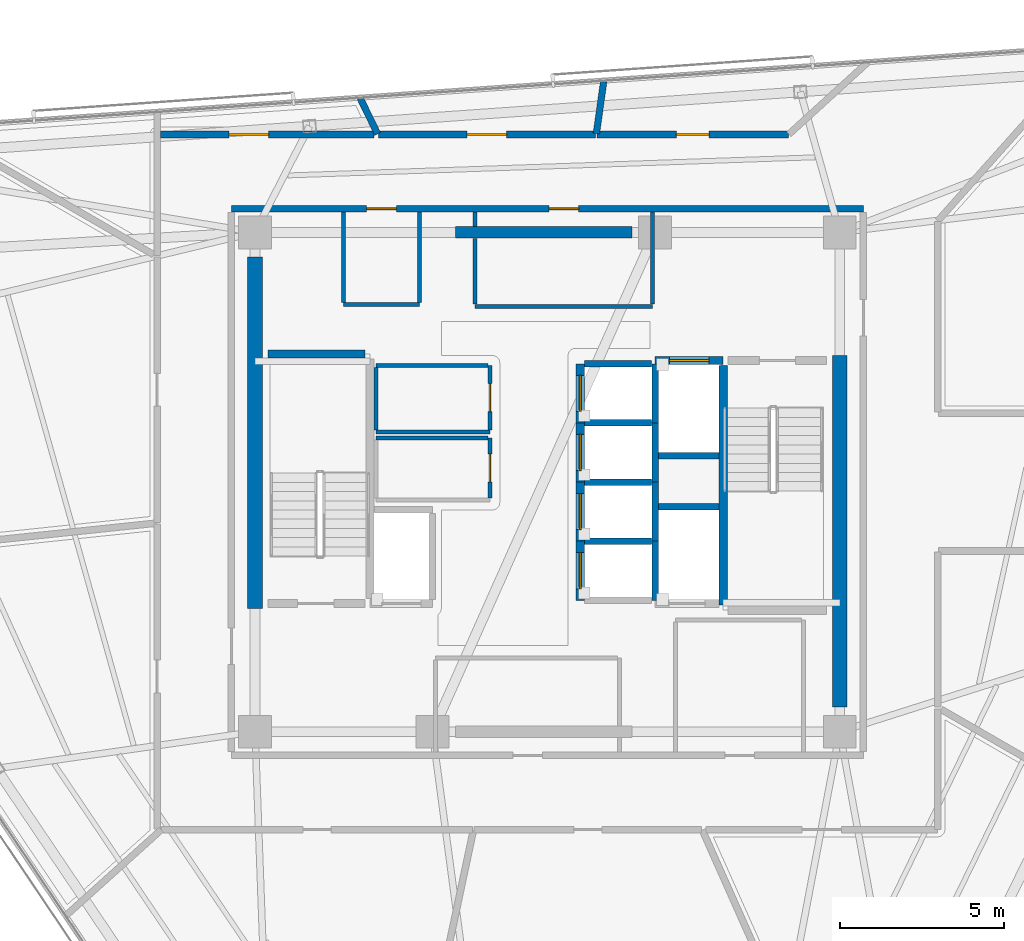
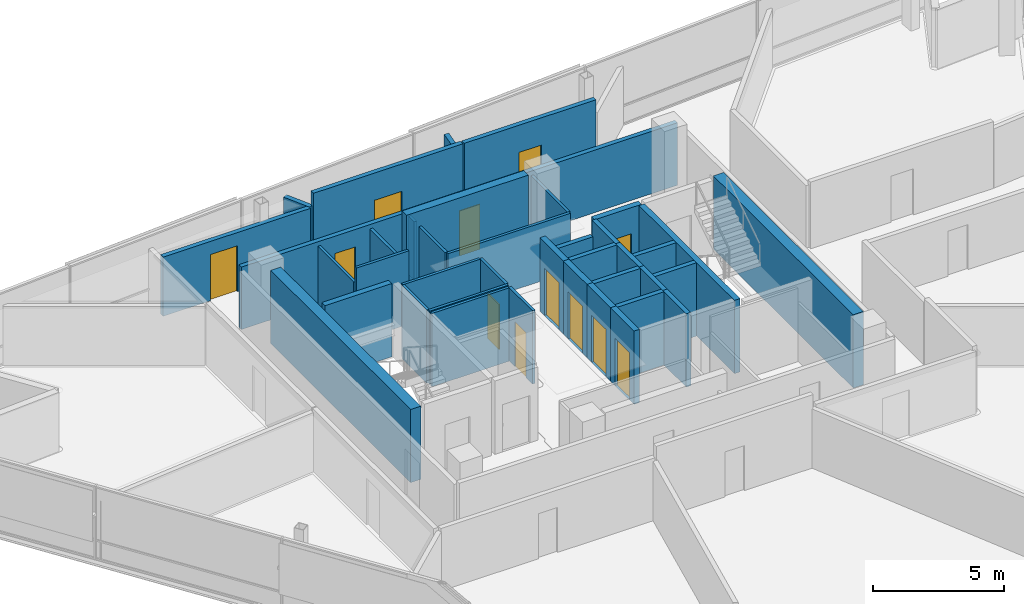
# One storey, part 10 of 16: 39 walls, 12 doors, 12 openings.
"""IFC4 building model written with IfcOpenShell, lengths in metres."""

from ifc_helpers import new_model, si_unit, direction, frame, frame_2d, origin, place, context, subcontext, project, spatial, rectangle, extrude, material, layer, layer_set, type_object, element, fill, save


model = new_model("IFC4")

# Units and contexts
model_context = context("Model", 3, precision=1e-05, world=origin(), true_north=direction((0.0, 1.0)))
body_context = subcontext(model_context, "Body", "Model", "MODEL_VIEW")
ifc_project = project(units=[si_unit("LENGTHUNIT", "METRE"), si_unit("AREAUNIT", "SQUARE_METRE"), si_unit("VOLUMEUNIT", "CUBIC_METRE"), si_unit("PLANEANGLEUNIT", "RADIAN"), si_unit("MASSUNIT", "GRAM", prefix="KILO")], contexts=[model_context])

# Site, building, storey
site_placement = place(None, origin())
site = spatial("IfcSite", under=ifc_project, at=site_placement, CompositionType="ELEMENT")
building_placement = place(site_placement, origin())
building = spatial("IfcBuilding", under=site, at=building_placement, Name="Tharavind Bronze Gate", CompositionType="ELEMENT")
storey_placement = place(building_placement, frame((0.0, 0.0, 260.60009765625)))
storey = spatial("IfcBuildingStorey", under=building, at=storey_placement, Name="L67", CompositionType="ELEMENT", Elevation=260.60009765625)

# Wall, openings, doors
ifc_material_1 = material(Name="Aerated Concrete Block", Category="concrete")
ifc_layer_1 = layer(ifc_material_1, 0.199951171875)
ifc_layer_set_1 = layer_set([ifc_layer_1], Name="Aerated Concrete Block")
wall_type_1 = type_object("IfcWallType", Name="FIRE RATED PARTITION 200", PredefinedType="PARTITIONING", material=ifc_layer_set_1)
wall_1_placement = place(storey_placement, frame((9.6201171875, 8.320068359375, 0.0), z_axis=(0.0, 0.0, 1.0), x_axis=(-1.0, 0.0, 0.0)))
wall_1 = element("IfcWall", 1, at=wall_1_placement, inside=storey, type_object=wall_type_1, Name="L67 north core corridor wall", PredefinedType="PARTITIONING", context=body_context, shape_type="SweptSolid", body=[
    extrude(rectangle(XDim=19.240234375, YDim=0.199951171875, at=frame_2d((9.6201171875, 0.0))), origin(), (0.0, 0.0, 1.0), 2.914794921875),
])
opening_1_placement = place(wall_1_placement, frame((8.669921875, 0.0, 0.0)))
opening_1 = element("IfcOpeningElement", 2, at=opening_1_placement, cuts=wall_1, Name="Opening ID07", PredefinedType="OPENING", context=body_context, shape_type="SweptSolid", body=[
    extrude(rectangle(XDim=0.89990234375, YDim=2.10009765625, at=frame_2d((0.449951171875, 1.050048828125))), frame((0.0, 0.11009765625, 0.0), z_axis=(0.0, -1.0, 0.0), x_axis=(1.0, 0.0, 0.0)), (0.0, 0.0, 1.0), 0.219951171875),
])
opening_2_placement = place(wall_1_placement, frame((14.219970703125, 0.0, 0.0)))
opening_2 = element("IfcOpeningElement", 3, at=opening_2_placement, cuts=wall_1, Name="Opening ID07", PredefinedType="OPENING", context=body_context, shape_type="SweptSolid", body=[
    extrude(rectangle(XDim=0.89990234375, YDim=2.10009765625, at=frame_2d((0.449951171875, 1.050048828125))), frame((0.0, 0.11009765625, 0.0), z_axis=(0.0, -1.0, 0.0), x_axis=(1.0, 0.0, 0.0)), (0.0, 0.0, 1.0), 0.219951171875),
])
ifc_material_2 = material(Name="Galvanised Fire Steel", Category="steel")
door_type_1 = type_object("IfcDoorType", Name="PLANT AND RISER FIRE DOOR 900X2100", OperationType="SINGLE_SWING_LEFT", PredefinedType="DOOR", material=ifc_material_2)
door_1_placement = place(opening_1_placement, origin())
door_1 = element("IfcDoor", 4, at=door_1_placement, inside=storey, type_object=door_type_1, Name="L67 Core Avionics Room fire door", OperationType="SINGLE_SWING_LEFT", OverallHeight=2.10009765625, OverallWidth=0.89990234375, PredefinedType="DOOR", context=body_context, shape_type="SweptSolid", body=[
    extrude(rectangle(XDim=0.89990234375, YDim=2.10009765625, at=frame_2d((0.449951171875, 1.050048828125))), frame((0.0, 0.02490234375, 0.0), z_axis=(0.0, -1.0, 0.0), x_axis=(1.0, 0.0, 0.0)), (0.0, 0.0, 1.0), 0.050048828125),
])
fill(opening_1, door_1)
door_2_placement = place(opening_2_placement, origin())
door_2 = element("IfcDoor", 5, at=door_2_placement, inside=storey, type_object=door_type_1, Name="L67 Electrical Switch Cupboard fire door", OperationType="SINGLE_SWING_LEFT", OverallHeight=2.10009765625, OverallWidth=0.89990234375, PredefinedType="DOOR", context=body_context, shape_type="SweptSolid", body=[
    extrude(rectangle(XDim=0.89990234375, YDim=2.10009765625, at=frame_2d((0.449951171875, 1.050048828125))), frame((0.0, 0.02490234375, 0.0), z_axis=(0.0, -1.0, 0.0), x_axis=(1.0, 0.0, 0.0)), (0.0, 0.0, 1.0), 0.050048828125),
])
fill(opening_2, door_2)

# Wall, opening, door
wall_2_placement = place(storey_placement, frame((7.3330078125, 10.580078125, 0.0), z_axis=(0.0, 0.0, 1.0), x_axis=(-1.0, 0.0, 0.0)))
wall_2 = element("IfcWall", 6, at=wall_2_placement, inside=storey, type_object=wall_type_1, Name="L67 CEO Executive Office partition", PredefinedType="PARTITIONING", context=body_context, shape_type="SweptSolid", body=[
    extrude(rectangle(XDim=5.8173828125, YDim=0.199951171875, at=frame_2d((2.90869140625, 0.0))), origin(), (0.0, 0.0, 1.0), 3.419921875),
])
opening_3_placement = place(wall_2_placement, frame((2.408935546875, 0.0, 0.0)))
opening_3 = element("IfcOpeningElement", 7, at=opening_3_placement, cuts=wall_2, Name="Opening ID04", PredefinedType="OPENING", context=body_context, shape_type="SweptSolid", body=[
    extrude(rectangle(XDim=1.0, YDim=2.14990234375, at=frame_2d((0.5, 1.074951171875))), frame((0.0, 0.11009765625, 0.0), z_axis=(0.0, -1.0, 0.0), x_axis=(1.0, 0.0, 0.0)), (0.0, 0.0, 1.0), 0.219951171875),
])
ifc_material_3 = material(Name="Bronze Framed Acoustic Timber", Category="wood")
door_type_2 = type_object("IfcDoorType", Name="OFFICE TENANCY DOOR 1000X2150", OperationType="SINGLE_SWING_RIGHT", PredefinedType="DOOR", material=ifc_material_3)
door_3_placement = place(opening_3_placement, origin())
door_3 = element("IfcDoor", 8, at=door_3_placement, inside=storey, type_object=door_type_2, Name="L67 CEO Executive Office door", OperationType="SINGLE_SWING_RIGHT", OverallHeight=2.14990234375, OverallWidth=1.0, PredefinedType="DOOR", context=body_context, shape_type="SweptSolid", body=[
    extrude(rectangle(XDim=1.0, YDim=2.14990234375, at=frame_2d((0.5, 1.074951171875))), frame((0.0, 0.02490234375, 0.0), z_axis=(0.0, -1.0, 0.0), x_axis=(1.0, 0.0, 0.0)), (0.0, 0.0, 1.0), 0.050048828125),
])
fill(opening_3, door_3)

# Wall
wall_3_placement = place(storey_placement, frame((1.490966796875, 10.6083984375, 0.0), z_axis=(0.0, 0.0, 1.0), x_axis=(0.139154192709, 0.990270725939, 0.0)))
element("IfcWall", 9, at=wall_3_placement, inside=storey, type_object=wall_type_1, Name="L67 CEO Executive Office partition", PredefinedType="PARTITIONING", context=body_context, shape_type="SweptSolid", body=[
    extrude(rectangle(XDim=1.598388671875, YDim=0.199951171875, at=frame_2d((0.79931640625, 0.0))), origin(), (0.0, 0.0, 1.0), 2.764892578125),
])

# Wall, opening, door
wall_4_placement = place(storey_placement, frame((1.465087890625, 10.580078125, 0.0), z_axis=(0.0, 0.0, 1.0), x_axis=(-1.0, 0.0, 0.0)))
wall_4 = element("IfcWall", 10, at=wall_4_placement, inside=storey, type_object=wall_type_1, Name="L67 Global Boardroom partition", PredefinedType="PARTITIONING", context=body_context, shape_type="SweptSolid", body=[
    extrude(rectangle(XDim=6.609619140625, YDim=0.199951171875, at=frame_2d((3.3046875, 0.0))), origin(), (0.0, 0.0, 1.0), 3.419921875),
])
opening_4_placement = place(wall_4_placement, frame((2.705078125, 0.0, 0.0)))
opening_4 = element("IfcOpeningElement", 11, at=opening_4_placement, cuts=wall_4, Name="Opening ID05", PredefinedType="OPENING", context=body_context, shape_type="SweptSolid", body=[
    extrude(rectangle(XDim=1.199951171875, YDim=2.14990234375, at=frame_2d((0.60009765625, 1.074951171875))), frame((0.0, 0.11009765625, 0.0), z_axis=(0.0, -1.0, 0.0), x_axis=(1.0, 0.0, 0.0)), (0.0, 0.0, 1.0), 0.219951171875),
])
ifc_material_4 = material(Name="Acoustic Laminated Glass", Category="glass")
door_type_3 = type_object("IfcDoorType", Name="MEETING ROOM GLAZED DOOR 1200X2150", OperationType="SINGLE_SWING_LEFT", PredefinedType="DOOR", material=ifc_material_4)
door_4_placement = place(opening_4_placement, origin())
door_4 = element("IfcDoor", 12, at=door_4_placement, inside=storey, type_object=door_type_3, Name="L67 Global Boardroom door", OperationType="SINGLE_SWING_LEFT", OverallHeight=2.14990234375, OverallWidth=1.199951171875, PredefinedType="DOOR", context=body_context, shape_type="SweptSolid", body=[
    extrude(rectangle(XDim=1.199951171875, YDim=2.14990234375, at=frame_2d((0.60009765625, 1.074951171875))), frame((0.0, 0.02490234375, 0.0), z_axis=(0.0, -1.0, 0.0), x_axis=(1.0, 0.0, 0.0)), (0.0, 0.0, 1.0), 0.050048828125),
])
fill(opening_4, door_4)

# Wall
wall_5_placement = place(storey_placement, frame((-5.1669921875, 10.593994140625, 0.0), z_axis=(0.0, 0.0, 1.0), x_axis=(-0.438482667622, 0.89873964539, 0.0)))
element("IfcWall", 13, at=wall_5_placement, inside=storey, type_object=wall_type_1, Name="L67 Global Boardroom partition", PredefinedType="PARTITIONING", context=body_context, shape_type="SweptSolid", body=[
    extrude(rectangle(XDim=1.22216796875, YDim=0.199951171875, at=frame_2d((0.611083984375, 0.0))), origin(), (0.0, 0.0, 1.0), 2.764892578125),
])

# Wall, opening, door
wall_6_placement = place(storey_placement, frame((-5.277099609375, 10.580078125, 0.0), z_axis=(0.0, 0.0, 1.0), x_axis=(-1.0, 0.0, 0.0)))
wall_6 = element("IfcWall", 14, at=wall_6_placement, inside=storey, type_object=wall_type_1, Name="L67 Strategy Seminar Room partition", PredefinedType="PARTITIONING", context=body_context, shape_type="SweptSolid", body=[
    extrude(rectangle(XDim=6.497802734375, YDim=0.199951171875, at=frame_2d((3.2490234375, 0.0))), origin(), (0.0, 0.0, 1.0), 2.764892578125),
])
opening_5_placement = place(wall_6_placement, frame((3.208984375, 0.0, 0.0)))
opening_5 = element("IfcOpeningElement", 15, at=opening_5_placement, cuts=wall_6, Name="Opening ID05", PredefinedType="OPENING", context=body_context, shape_type="SweptSolid", body=[
    extrude(rectangle(XDim=1.199951171875, YDim=2.14990234375, at=frame_2d((0.60009765625, 1.074951171875))), frame((0.0, 0.11009765625, 0.0), z_axis=(0.0, -1.0, 0.0), x_axis=(1.0, 0.0, 0.0)), (0.0, 0.0, 1.0), 0.219951171875),
])
door_5_placement = place(opening_5_placement, origin())
door_5 = element("IfcDoor", 16, at=door_5_placement, inside=storey, type_object=door_type_3, Name="L67 Strategy Seminar Room door", OperationType="SINGLE_SWING_LEFT", OverallHeight=2.14990234375, OverallWidth=1.199951171875, PredefinedType="DOOR", context=body_context, shape_type="SweptSolid", body=[
    extrude(rectangle(XDim=1.199951171875, YDim=2.14990234375, at=frame_2d((0.60009765625, 1.074951171875))), frame((0.0, 0.02490234375, 0.0), z_axis=(0.0, -1.0, 0.0), x_axis=(1.0, 0.0, 0.0)), (0.0, 0.0, 1.0), 0.050048828125),
])
fill(opening_5, door_5)

# Wall
ifc_material_5 = material(Name="Metal Stud Gypsum Partition", Category="gypsum")
ifc_layer_2 = layer(ifc_material_5, 0.1201171875)
ifc_layer_set_2 = layer_set([ifc_layer_2], Name="Metal Stud Gypsum Partition")
wall_type_2 = type_object("IfcWallType", Name="INTERIOR PARTITION WALL 120", PredefinedType="PARTITIONING", material=ifc_layer_set_2)
wall_7_placement = place(storey_placement, frame((-5.219970703125, 1.52001953125, 0.0), z_axis=(0.0, 0.0, 1.0), x_axis=(1.0, 0.0, 0.0)))
element("IfcWall", 17, at=wall_7_placement, inside=storey, type_object=wall_type_2, Name="L67 Cleaner Store Room partition 1", PredefinedType="PARTITIONING", context=body_context, shape_type="SweptSolid", body=[
    extrude(rectangle(XDim=3.469970703125, YDim=0.1201171875, at=frame_2d((1.73486328125, 0.0))), origin(), (0.0, 0.0, 1.0), 3.419921875),
])

# Wall, opening, door
wall_8_placement = place(storey_placement, frame((-1.75, 1.5849609375, 0.0), z_axis=(0.0, 0.0, 1.0), x_axis=(0.0, 1.0, 0.0)))
wall_8 = element("IfcWall", 18, at=wall_8_placement, inside=storey, type_object=wall_type_2, Name="L67 Cleaner Store Room partition 2", PredefinedType="PARTITIONING", context=body_context, shape_type="SweptSolid", body=[
    extrude(rectangle(XDim=1.965087890625, YDim=0.1201171875, at=frame_2d((0.982421875, 0.0))), origin(), (0.0, 0.0, 1.0), 3.419921875),
])
opening_6_placement = place(wall_8_placement, frame((0.556884765625, 0.0, 0.0)))
opening_6 = element("IfcOpeningElement", 19, at=opening_6_placement, cuts=wall_8, Name="Opening ID06", PredefinedType="OPENING", context=body_context, shape_type="SweptSolid", body=[
    extrude(rectangle(XDim=0.85009765625, YDim=2.10009765625, at=frame_2d((0.425048828125, 1.050048828125))), frame((0.0, 0.07005859375, 0.0), z_axis=(0.0, -1.0, 0.0), x_axis=(1.0, 0.0, 0.0)), (0.0, 0.0, 1.0), 0.1401171875),
])
ifc_material_6 = material(Name="Moisture-Resistant Timber", Category="wood")
door_type_4 = type_object("IfcDoorType", Name="BATHROOM PRIVACY DOOR 850X2100", OperationType="SINGLE_SWING_RIGHT", PredefinedType="DOOR", material=ifc_material_6)
door_6_placement = place(opening_6_placement, frame((0.85009765625, 0.0, 0.0), z_axis=(0.0, 0.0, 1.0), x_axis=(-1.0, 0.0, 0.0)))
door_6 = element("IfcDoor", 20, at=door_6_placement, inside=storey, type_object=door_type_4, Name="L67 Cleaner Store Room door", OperationType="SINGLE_SWING_RIGHT", OverallHeight=2.10009765625, OverallWidth=0.85009765625, PredefinedType="DOOR", context=body_context, shape_type="SweptSolid", body=[
    extrude(rectangle(XDim=0.85009765625, YDim=2.10009765625, at=frame_2d((0.425048828125, 1.050048828125))), frame((0.0, 0.02490234375, 0.0), z_axis=(0.0, -1.0, 0.0), x_axis=(1.0, 0.0, 0.0)), (0.0, 0.0, 1.0), 0.050048828125),
])
fill(opening_6, door_6)

# Walls
wall_9_placement = place(storey_placement, frame((-1.81494140625, 3.550048828125, 0.0), z_axis=(0.0, 0.0, 1.0), x_axis=(-1.0, 0.0, 0.0)))
element("IfcWall", 21, at=wall_9_placement, inside=storey, type_object=wall_type_2, Name="L67 Cleaner Store Room partition 3", PredefinedType="PARTITIONING", context=body_context, shape_type="SweptSolid", body=[
    extrude(rectangle(XDim=3.405029296875, YDim=0.1201171875, at=frame_2d((1.70263671875, 0.0))), origin(), (0.0, 0.0, 1.0), 3.419921875),
])
wall_10_placement = place(storey_placement, frame((-5.219970703125, 3.485107421875, 0.0), z_axis=(0.0, 0.0, 1.0), x_axis=(0.0, -1.0, 0.0)))
element("IfcWall", 22, at=wall_10_placement, inside=storey, type_object=wall_type_2, Name="L67 Cleaner Store Room partition 4", PredefinedType="PARTITIONING", context=body_context, shape_type="SweptSolid", body=[
    extrude(rectangle(XDim=1.900146484375, YDim=0.1201171875, at=frame_2d((0.9501953125, 0.0))), origin(), (0.0, 0.0, 1.0), 3.419921875),
])

# Wall, opening, door
wall_11_placement = place(storey_placement, frame((-1.75, -0.485107421875, 0.0), z_axis=(0.0, 0.0, 1.0), x_axis=(0.0, 1.0, 0.0)))
wall_11 = element("IfcWall", 23, at=wall_11_placement, inside=storey, type_object=wall_type_2, Name="L67 Electrical Switch Room partition 2", PredefinedType="PARTITIONING", context=body_context, shape_type="SweptSolid", body=[
    extrude(rectangle(XDim=1.8251953125, YDim=0.1201171875, at=frame_2d((0.91259765625, 0.0))), origin(), (0.0, 0.0, 1.0), 3.419921875),
])
opening_7_placement = place(wall_11_placement, frame((0.488037109375, 0.0, 0.0)))
opening_7 = element("IfcOpeningElement", 24, at=opening_7_placement, cuts=wall_11, Name="Opening ID06", PredefinedType="OPENING", context=body_context, shape_type="SweptSolid", body=[
    extrude(rectangle(XDim=0.85009765625, YDim=2.10009765625, at=frame_2d((0.425048828125, 1.050048828125))), frame((0.0, 0.07005859375, 0.0), z_axis=(0.0, -1.0, 0.0), x_axis=(1.0, 0.0, 0.0)), (0.0, 0.0, 1.0), 0.1401171875),
])
door_7_placement = place(opening_7_placement, frame((0.85009765625, 0.0, 0.0), z_axis=(0.0, 0.0, 1.0), x_axis=(-1.0, 0.0, 0.0)))
door_7 = element("IfcDoor", 25, at=door_7_placement, inside=storey, type_object=door_type_4, Name="L67 Electrical Switch Room door", OperationType="SINGLE_SWING_RIGHT", OverallHeight=2.10009765625, OverallWidth=0.85009765625, PredefinedType="DOOR", context=body_context, shape_type="SweptSolid", body=[
    extrude(rectangle(XDim=0.85009765625, YDim=2.10009765625, at=frame_2d((0.425048828125, 1.050048828125))), frame((0.0, 0.02490234375, 0.0), z_axis=(0.0, -1.0, 0.0), x_axis=(1.0, 0.0, 0.0)), (0.0, 0.0, 1.0), 0.050048828125),
])
fill(opening_7, door_7)

# Walls
wall_12_placement = place(storey_placement, frame((-1.81494140625, 1.340087890625, 0.0), z_axis=(0.0, 0.0, 1.0), x_axis=(-1.0, 0.0, 0.0)))
element("IfcWall", 26, at=wall_12_placement, inside=storey, type_object=wall_type_2, Name="L67 Electrical Switch Room partition 3", PredefinedType="PARTITIONING", context=body_context, shape_type="SweptSolid", body=[
    extrude(rectangle(XDim=3.405029296875, YDim=0.1201171875, at=frame_2d((1.70263671875, 0.0))), origin(), (0.0, 0.0, 1.0), 3.419921875),
])
wall_13_placement = place(storey_placement, frame((-2.199951171875, 5.35009765625, 0.0), z_axis=(0.0, 0.0, 1.0), x_axis=(1.0, 0.0, 0.0)))
element("IfcWall", 27, at=wall_13_placement, inside=storey, type_object=wall_type_2, Name="L67 Core Avionics Room partition 1", PredefinedType="PARTITIONING", context=body_context, shape_type="SweptSolid", body=[
    extrude(rectangle(XDim=5.39990234375, YDim=0.1201171875, at=frame_2d((2.699951171875, 0.0))), origin(), (0.0, 0.0, 1.0), 2.71484375),
])
wall_14_placement = place(storey_placement, frame((3.199951171875, 5.4150390625, 0.0), z_axis=(0.0, 0.0, 1.0), x_axis=(0.0, 1.0, 0.0)))
element("IfcWall", 28, at=wall_14_placement, inside=storey, type_object=wall_type_2, Name="L67 Core Avionics Room partition 2", PredefinedType="PARTITIONING", context=body_context, shape_type="SweptSolid", body=[
    extrude(rectangle(XDim=2.800048828125, YDim=0.1201171875, at=frame_2d((1.39990234375, 0.0))), origin(), (0.0, 0.0, 1.0), 2.71484375),
])
wall_15_placement = place(storey_placement, frame((-2.199951171875, 8.215087890625, 0.0), z_axis=(0.0, 0.0, 1.0), x_axis=(0.0, -1.0, 0.0)))
element("IfcWall", 29, at=wall_15_placement, inside=storey, type_object=wall_type_2, Name="L67 Core Avionics Room partition 4", PredefinedType="PARTITIONING", context=body_context, shape_type="SweptSolid", body=[
    extrude(rectangle(XDim=0.43505859375, YDim=0.1201171875, at=frame_2d((0.217529296875, 0.0))), origin(), (0.0, 0.0, 1.0), 2.71484375),
])
wall_16_placement = place(storey_placement, frame((-2.199951171875, 7.419921875, 0.0), z_axis=(0.0, 0.0, 1.0), x_axis=(0.0, -1.0, 0.0)))
element("IfcWall", 30, at=wall_16_placement, inside=storey, type_object=wall_type_2, Name="L67 Core Avionics Room partition 4", PredefinedType="PARTITIONING", context=body_context, shape_type="SweptSolid", body=[
    extrude(rectangle(XDim=2.0048828125, YDim=0.1201171875, at=frame_2d((1.00244140625, 0.0))), origin(), (0.0, 0.0, 1.0), 2.71484375),
])
wall_17_placement = place(storey_placement, frame((-6.199951171875, 5.39990234375, 0.0), z_axis=(0.0, 0.0, 1.0), x_axis=(1.0, 0.0, 0.0)))
element("IfcWall", 31, at=wall_17_placement, inside=storey, type_object=wall_type_2, Name="L67 Electrical Switch Cupboard partition 1", PredefinedType="PARTITIONING", context=body_context, shape_type="SweptSolid", body=[
    extrude(rectangle(XDim=2.300048828125, YDim=0.1201171875, at=frame_2d((1.14990234375, 0.0))), origin(), (0.0, 0.0, 1.0), 3.419921875),
])
for number, where, z_axis, x_axis, name in (
    (32, (-3.89990234375, 5.465087890625, 0.0), (0.0, 0.0, 1.0), (0.0, 1.0, 0.0), "L67 Electrical Switch Cupboard partition 2"),
    (33, (-6.199951171875, 8.215087890625, 0.0), (0.0, 0.0, 1.0), (0.0, -1.0, 0.0), "L67 Electrical Switch Cupboard partition 4"),
):
    element("IfcWall", number, at=place(storey_placement, frame(where, z_axis=z_axis, x_axis=x_axis)), inside=storey, type_object=wall_type_2, Name=name, PredefinedType="PARTITIONING", context=body_context, shape_type="SweptSolid", body=[
        extrude(rectangle(XDim=2.75, YDim=0.1201171875, at=frame_2d((1.375, 0.0))), origin(), (0.0, 0.0, 1.0), 2.71484375),
    ])
ifc_material_7 = material(Name="Concrete C50/60", Category="concrete")
ifc_layer_3 = layer(ifc_material_7, 0.25)
ifc_layer_set_3 = layer_set([ifc_layer_3], Name="Concrete C50/60")
wall_type_3 = type_object("IfcWallType", Name="RC CORE SHEAR WALL 250", PredefinedType="SHEAR", material=ifc_layer_set_3)
wall_18_placement = place(storey_placement, frame((-8.5, 3.89990234375, 0.0), z_axis=(0.0, 0.0, 1.0), x_axis=(1.0, 0.0, 0.0)))
element("IfcWall", 34, at=wall_18_placement, inside=storey, type_object=wall_type_3, Name="L67 ST1 shaft north wall", PredefinedType="SHEAR", context=body_context, shape_type="SweptSolid", body=[
    extrude(rectangle(XDim=2.949951171875, YDim=0.25, at=frame_2d((1.47509765625, 0.0))), origin(), (0.0, 0.0, 1.0), 3.419921875),
])
wall_19_placement = place(storey_placement, frame((5.35009765625, -3.75, 0.0), z_axis=(0.0, 0.0, 1.0), x_axis=(0.0, 1.0, 0.0)))
element("IfcWall", 35, at=wall_19_placement, inside=storey, type_object=wall_type_3, Name="L67 ST2 shaft west wall", PredefinedType="SHEAR", context=body_context, shape_type="SweptSolid", body=[
    extrude(rectangle(XDim=7.300048828125, YDim=0.25, at=frame_2d((3.64990234375, 0.0))), origin(), (0.0, 0.0, 1.0), 3.419921875),
])

# Wall, opening, door
wall_20_placement = place(storey_placement, frame((1.0, -3.60009765625, 0.0), z_axis=(0.0, 0.0, 1.0), x_axis=(0.0, 1.0, 0.0)))
wall_20 = element("IfcWall", 36, at=wall_20_placement, inside=storey, type_object=wall_type_3, Name="L67 lift PL9 shaft front wall", PredefinedType="SHEAR", context=body_context, shape_type="SweptSolid", body=[
    extrude(rectangle(XDim=1.800048828125, YDim=0.25, at=frame_2d((0.89990234375, 0.0))), origin(), (0.0, 0.0, 1.0), 3.419921875),
])
opening_8_placement = place(wall_20_placement, frame((0.35009765625, 0.0, 0.0)))
opening_8 = element("IfcOpeningElement", 37, at=opening_8_placement, cuts=wall_20, Name="Opening LD01", PredefinedType="OPENING", context=body_context, shape_type="SweptSolid", body=[
    extrude(rectangle(XDim=1.10009765625, YDim=2.199951171875, at=frame_2d((0.550048828125, 1.10009765625))), frame((0.0, 0.135, 0.0), z_axis=(0.0, -1.0, 0.0), x_axis=(1.0, 0.0, 0.0)), (0.0, 0.0, 1.0), 0.27),
])
ifc_material_8 = material(Name="Brushed Bronze Stainless Steel", Category="steel")
door_type_5 = type_object("IfcDoorType", Name="LIFT LANDING SLIDING DOOR 1100X2200", OperationType="SLIDING_TO_LEFT", PredefinedType="DOOR", material=ifc_material_8)
door_8_placement = place(opening_8_placement, origin())
door_8 = element("IfcDoor", 38, at=door_8_placement, inside=storey, type_object=door_type_5, Name="L67 lift PL9 sliding landing door", OperationType="SLIDING_TO_LEFT", OverallHeight=2.199951171875, OverallWidth=1.10009765625, PredefinedType="DOOR", context=body_context, shape_type="SweptSolid", body=[
    extrude(rectangle(XDim=1.10009765625, YDim=2.199951171875, at=frame_2d((0.550048828125, 1.10009765625))), frame((0.0, 0.02490234375, 0.0), z_axis=(0.0, -1.0, 0.0), x_axis=(1.0, 0.0, 0.0)), (0.0, 0.0, 1.0), 0.050048828125),
])
fill(opening_8, door_8)

wall_21_placement = place(storey_placement, frame((1.0, -1.800048828125, 0.0), z_axis=(0.0, 0.0, 1.0), x_axis=(0.0, 1.0, 0.0)))
wall_21 = element("IfcWall", 39, at=wall_21_placement, inside=storey, type_object=wall_type_3, Name="L67 lift PL10 shaft front wall", PredefinedType="SHEAR", context=body_context, shape_type="SweptSolid", body=[
    extrude(rectangle(XDim=1.800048828125, YDim=0.25, at=frame_2d((0.89990234375, 0.0))), origin(), (0.0, 0.0, 1.0), 3.419921875),
])
opening_9_placement = place(wall_21_placement, frame((0.35009765625, 0.0, 0.0)))
opening_9 = element("IfcOpeningElement", 40, at=opening_9_placement, cuts=wall_21, Name="Opening LD01", PredefinedType="OPENING", context=body_context, shape_type="SweptSolid", body=[
    extrude(rectangle(XDim=1.10009765625, YDim=2.199951171875, at=frame_2d((0.550048828125, 1.10009765625))), frame((0.0, 0.135, 0.0), z_axis=(0.0, -1.0, 0.0), x_axis=(1.0, 0.0, 0.0)), (0.0, 0.0, 1.0), 0.27),
])
door_9_placement = place(opening_9_placement, origin())
door_9 = element("IfcDoor", 41, at=door_9_placement, inside=storey, type_object=door_type_5, Name="L67 lift PL10 sliding landing door", OperationType="SLIDING_TO_LEFT", OverallHeight=2.199951171875, OverallWidth=1.10009765625, PredefinedType="DOOR", context=body_context, shape_type="SweptSolid", body=[
    extrude(rectangle(XDim=1.10009765625, YDim=2.199951171875, at=frame_2d((0.550048828125, 1.10009765625))), frame((0.0, 0.02490234375, 0.0), z_axis=(0.0, -1.0, 0.0), x_axis=(1.0, 0.0, 0.0)), (0.0, 0.0, 1.0), 0.050048828125),
])
fill(opening_9, door_9)

wall_22_placement = place(storey_placement, frame((1.0, 0.0, 0.0), z_axis=(0.0, 0.0, 1.0), x_axis=(0.0, 1.0, 0.0)))
wall_22 = element("IfcWall", 42, at=wall_22_placement, inside=storey, type_object=wall_type_3, Name="L67 lift PL11 shaft front wall", PredefinedType="SHEAR", context=body_context, shape_type="SweptSolid", body=[
    extrude(rectangle(XDim=1.800048828125, YDim=0.25, at=frame_2d((0.89990234375, 0.0))), origin(), (0.0, 0.0, 1.0), 3.419921875),
])
opening_10_placement = place(wall_22_placement, frame((0.35009765625, 0.0, 0.0)))
opening_10 = element("IfcOpeningElement", 43, at=opening_10_placement, cuts=wall_22, Name="Opening LD01", PredefinedType="OPENING", context=body_context, shape_type="SweptSolid", body=[
    extrude(rectangle(XDim=1.10009765625, YDim=2.199951171875, at=frame_2d((0.550048828125, 1.10009765625))), frame((0.0, 0.135, 0.0), z_axis=(0.0, -1.0, 0.0), x_axis=(1.0, 0.0, 0.0)), (0.0, 0.0, 1.0), 0.27),
])
door_10_placement = place(opening_10_placement, origin())
door_10 = element("IfcDoor", 44, at=door_10_placement, inside=storey, type_object=door_type_5, Name="L67 lift PL11 sliding landing door", OperationType="SLIDING_TO_LEFT", OverallHeight=2.199951171875, OverallWidth=1.10009765625, PredefinedType="DOOR", context=body_context, shape_type="SweptSolid", body=[
    extrude(rectangle(XDim=1.10009765625, YDim=2.199951171875, at=frame_2d((0.550048828125, 1.10009765625))), frame((0.0, 0.02490234375, 0.0), z_axis=(0.0, -1.0, 0.0), x_axis=(1.0, 0.0, 0.0)), (0.0, 0.0, 1.0), 0.050048828125),
])
fill(opening_10, door_10)

wall_23_placement = place(storey_placement, frame((1.0, 1.800048828125, 0.0), z_axis=(0.0, 0.0, 1.0), x_axis=(0.0, 1.0, 0.0)))
wall_23 = element("IfcWall", 45, at=wall_23_placement, inside=storey, type_object=wall_type_3, Name="L67 lift PL12 shaft front wall", PredefinedType="SHEAR", context=body_context, shape_type="SweptSolid", body=[
    extrude(rectangle(XDim=1.800048828125, YDim=0.25, at=frame_2d((0.89990234375, 0.0))), origin(), (0.0, 0.0, 1.0), 3.419921875),
])
opening_11_placement = place(wall_23_placement, frame((0.35009765625, 0.0, 0.0)))
opening_11 = element("IfcOpeningElement", 46, at=opening_11_placement, cuts=wall_23, Name="Opening LD01", PredefinedType="OPENING", context=body_context, shape_type="SweptSolid", body=[
    extrude(rectangle(XDim=1.10009765625, YDim=2.199951171875, at=frame_2d((0.550048828125, 1.10009765625))), frame((0.0, 0.135, 0.0), z_axis=(0.0, -1.0, 0.0), x_axis=(1.0, 0.0, 0.0)), (0.0, 0.0, 1.0), 0.27),
])
door_11_placement = place(opening_11_placement, origin())
door_11 = element("IfcDoor", 47, at=door_11_placement, inside=storey, type_object=door_type_5, Name="L67 lift PL12 sliding landing door", OperationType="SLIDING_TO_LEFT", OverallHeight=2.199951171875, OverallWidth=1.10009765625, PredefinedType="DOOR", context=body_context, shape_type="SweptSolid", body=[
    extrude(rectangle(XDim=1.10009765625, YDim=2.199951171875, at=frame_2d((0.550048828125, 1.10009765625))), frame((0.0, 0.02490234375, 0.0), z_axis=(0.0, -1.0, 0.0), x_axis=(1.0, 0.0, 0.0)), (0.0, 0.0, 1.0), 0.050048828125),
])
fill(opening_11, door_11)

wall_24_placement = place(storey_placement, frame((3.280029296875, 3.699951171875, 0.0), z_axis=(0.0, 0.0, 1.0), x_axis=(1.0, 0.0, 0.0)))
wall_24 = element("IfcWall", 48, at=wall_24_placement, inside=storey, type_object=wall_type_3, Name="L67 lift FFL2 shaft front wall", PredefinedType="SHEAR", context=body_context, shape_type="SweptSolid", body=[
    extrude(rectangle(XDim=2.070068359375, YDim=0.25, at=frame_2d((1.03515625, 0.0))), origin(), (0.0, 0.0, 1.0), 3.419921875),
])
opening_12_placement = place(wall_24_placement, frame((0.43505859375, 0.0, 0.0)))
opening_12 = element("IfcOpeningElement", 49, at=opening_12_placement, cuts=wall_24, Name="Opening LD02", PredefinedType="OPENING", context=body_context, shape_type="SweptSolid", body=[
    extrude(rectangle(XDim=1.199951171875, YDim=2.199951171875, at=frame_2d((0.60009765625, 1.10009765625))), frame((0.0, 0.135, 0.0), z_axis=(0.0, -1.0, 0.0), x_axis=(1.0, 0.0, 0.0)), (0.0, 0.0, 1.0), 0.27),
])
ifc_material_9 = material(Name="Brushed Stainless Steel", Category="steel")
door_type_6 = type_object("IfcDoorType", Name="FIREFIGHTING LIFT LANDING DOOR 1200X2200", OperationType="SLIDING_TO_RIGHT", PredefinedType="DOOR", material=ifc_material_9)
door_12_placement = place(opening_12_placement, origin())
door_12 = element("IfcDoor", 50, at=door_12_placement, inside=storey, type_object=door_type_6, Name="L67 lift FFL2 sliding landing door", OperationType="SLIDING_TO_RIGHT", OverallHeight=2.199951171875, OverallWidth=1.199951171875, PredefinedType="DOOR", context=body_context, shape_type="SweptSolid", body=[
    extrude(rectangle(XDim=1.199951171875, YDim=2.199951171875, at=frame_2d((0.60009765625, 1.10009765625))), frame((0.0, 0.02490234375, 0.0), z_axis=(0.0, -1.0, 0.0), x_axis=(1.0, 0.0, 0.0)), (0.0, 0.0, 1.0), 0.050048828125),
])
fill(opening_12, door_12)

# Walls
ifc_layer_4 = layer(ifc_material_7, 0.35009765625)
ifc_layer_set_4 = layer_set([ifc_layer_4], Name="Concrete C50/60")
wall_type_4 = type_object("IfcWallType", Name="RC CORE SHEAR WALL 350", PredefinedType="SHEAR", material=ifc_layer_set_4)
wall_25_placement = place(storey_placement, frame((-2.800048828125, 7.60009765625, 0.0), z_axis=(0.0, 0.0, 1.0), x_axis=(1.0, 0.0, 0.0)))
element("IfcWall", 51, at=wall_25_placement, inside=storey, type_object=wall_type_4, Name="L67 north core shear wall", PredefinedType="SHEAR", context=body_context, shape_type="SweptSolid", body=[
    extrude(rectangle(XDim=5.380126953125, YDim=0.35009765625, at=frame_2d((2.68994140625, 0.0))), origin(), (0.0, 0.0, 1.0), 3.419921875),
])
ifc_material_10 = material(Name="Concrete C60/75", Category="concrete")
ifc_layer_5 = layer(ifc_material_10, 0.449951171875)
ifc_layer_set_5 = layer_set([ifc_layer_5], Name="Concrete C60/75")
wall_type_5 = type_object("IfcWallType", Name="RC CORE SHEAR WALL 450", PredefinedType="SHEAR", material=ifc_layer_set_5)
for number, where, z_axis, x_axis, name in (
    (52, (-8.89990234375, -3.85009765625, 0.0), (0.0, 0.0, 1.0), (0.0, 1.0, 0.0), "L67 west core shear wall"),
    (53, (8.89990234375, -6.85009765625, 0.0), (0.0, 0.0, 1.0), (0.0, 1.0, 0.0), "L67 east core shear wall"),
):
    element("IfcWall", number, at=place(storey_placement, frame(where, z_axis=z_axis, x_axis=x_axis)), inside=storey, type_object=wall_type_5, Name=name, PredefinedType="SHEAR", context=body_context, shape_type="SweptSolid", body=[
        extrude(rectangle(XDim=10.7001953125, YDim=0.449951171875, at=frame_2d((5.35009765625, 0.0))), origin(), (0.0, 0.0, 1.0), 3.419921875),
    ])
ifc_material_11 = material(Name="Concrete C40/50", Category="concrete")
ifc_layer_6 = layer(ifc_material_11, 0.199951171875)
ifc_layer_set_6 = layer_set([ifc_layer_6], Name="Concrete C40/50")
wall_type_6 = type_object("IfcWallType", Name="SHAFT ENCLOSURE WALL 200", PredefinedType="PARTITIONING", material=ifc_layer_set_6)
wall_26_placement = place(storey_placement, frame((3.280029296875, -3.60009765625, 0.0), z_axis=(0.0, 0.0, 1.0), x_axis=(0.0, 1.0, 0.0)))
element("IfcWall", 54, at=wall_26_placement, inside=storey, type_object=wall_type_6, Name="L67 lift PL9 shaft E enclosure wall", PredefinedType="PARTITIONING", context=body_context, shape_type="SweptSolid", body=[
    extrude(rectangle(XDim=1.800048828125, YDim=0.199951171875, at=frame_2d((0.89990234375, 0.0))), origin(), (0.0, 0.0, 1.0), 3.419921875),
])
wall_27_placement = place(storey_placement, frame((1.1298828125, -1.800048828125, 0.0), z_axis=(0.0, 0.0, 1.0), x_axis=(1.0, 0.0, 0.0)))
element("IfcWall", 55, at=wall_27_placement, inside=storey, type_object=wall_type_6, Name="L67 lift PL9 shaft N enclosure wall", PredefinedType="PARTITIONING", context=body_context, shape_type="SweptSolid", body=[
    extrude(rectangle(XDim=2.045166015625, YDim=0.199951171875, at=frame_2d((1.0224609375, 0.0))), origin(), (0.0, 0.0, 1.0), 3.419921875),
])
wall_28_placement = place(storey_placement, frame((3.280029296875, -1.800048828125, 0.0), z_axis=(0.0, 0.0, 1.0), x_axis=(0.0, 1.0, 0.0)))
element("IfcWall", 56, at=wall_28_placement, inside=storey, type_object=wall_type_6, Name="L67 lift PL10 shaft E enclosure wall", PredefinedType="PARTITIONING", context=body_context, shape_type="SweptSolid", body=[
    extrude(rectangle(XDim=1.800048828125, YDim=0.199951171875, at=frame_2d((0.89990234375, 0.0))), origin(), (0.0, 0.0, 1.0), 3.419921875),
])
wall_29_placement = place(storey_placement, frame((1.1298828125, 0.0, 0.0), z_axis=(0.0, 0.0, 1.0), x_axis=(1.0, 0.0, 0.0)))
element("IfcWall", 57, at=wall_29_placement, inside=storey, type_object=wall_type_6, Name="L67 lift PL10 shaft N enclosure wall", PredefinedType="PARTITIONING", context=body_context, shape_type="SweptSolid", body=[
    extrude(rectangle(XDim=2.045166015625, YDim=0.199951171875, at=frame_2d((1.0224609375, 0.0))), origin(), (0.0, 0.0, 1.0), 3.419921875),
])
wall_30_placement = place(storey_placement, frame((3.280029296875, 0.0, 0.0), z_axis=(0.0, 0.0, 1.0), x_axis=(0.0, 1.0, 0.0)))
element("IfcWall", 58, at=wall_30_placement, inside=storey, type_object=wall_type_6, Name="L67 lift PL11 shaft E enclosure wall", PredefinedType="PARTITIONING", context=body_context, shape_type="SweptSolid", body=[
    extrude(rectangle(XDim=1.800048828125, YDim=0.199951171875, at=frame_2d((0.89990234375, 0.0))), origin(), (0.0, 0.0, 1.0), 3.419921875),
])
wall_31_placement = place(storey_placement, frame((1.1298828125, 1.800048828125, 0.0), z_axis=(0.0, 0.0, 1.0), x_axis=(1.0, 0.0, 0.0)))
element("IfcWall", 59, at=wall_31_placement, inside=storey, type_object=wall_type_6, Name="L67 lift PL11 shaft N enclosure wall", PredefinedType="PARTITIONING", context=body_context, shape_type="SweptSolid", body=[
    extrude(rectangle(XDim=2.045166015625, YDim=0.199951171875, at=frame_2d((1.0224609375, 0.0))), origin(), (0.0, 0.0, 1.0), 3.419921875),
])
wall_32_placement = place(storey_placement, frame((3.280029296875, 1.800048828125, 0.0), z_axis=(0.0, 0.0, 1.0), x_axis=(0.0, 1.0, 0.0)))
element("IfcWall", 60, at=wall_32_placement, inside=storey, type_object=wall_type_6, Name="L67 lift PL12 shaft E enclosure wall", PredefinedType="PARTITIONING", context=body_context, shape_type="SweptSolid", body=[
    extrude(rectangle(XDim=1.800048828125, YDim=0.199951171875, at=frame_2d((0.89990234375, 0.0))), origin(), (0.0, 0.0, 1.0), 3.419921875),
])
wall_33_placement = place(storey_placement, frame((1.1298828125, 3.60009765625, 0.0), z_axis=(0.0, 0.0, 1.0), x_axis=(1.0, 0.0, 0.0)))
element("IfcWall", 61, at=wall_33_placement, inside=storey, type_object=wall_type_6, Name="L67 lift PL12 shaft N enclosure wall", PredefinedType="PARTITIONING", context=body_context, shape_type="SweptSolid", body=[
    extrude(rectangle(XDim=2.045166015625, YDim=0.199951171875, at=frame_2d((1.0224609375, 0.0))), origin(), (0.0, 0.0, 1.0), 2.71484375),
])
for number, where, z_axis, x_axis, name in (
    (62, (3.385009765625, 0.800048828125, 0.0), (0.0, 0.0, 1.0), (1.0, 0.0, 0.0), "L67 lift FFL2 shaft S enclosure wall"),
    (63, (3.385009765625, -0.75, 0.0), (0.0, 0.0, 1.0), (1.0, 0.0, 0.0), "L67 lift SVL1 shaft N enclosure wall"),
):
    element("IfcWall", number, at=place(storey_placement, frame(where, z_axis=z_axis, x_axis=x_axis)), inside=storey, type_object=wall_type_6, Name=name, PredefinedType="PARTITIONING", context=body_context, shape_type="SweptSolid", body=[
        extrude(rectangle(XDim=1.8349609375, YDim=0.199951171875, at=frame_2d((0.91748046875, 0.0))), origin(), (0.0, 0.0, 1.0), 3.419921875),
    ])

save(model, "model.ifc")
